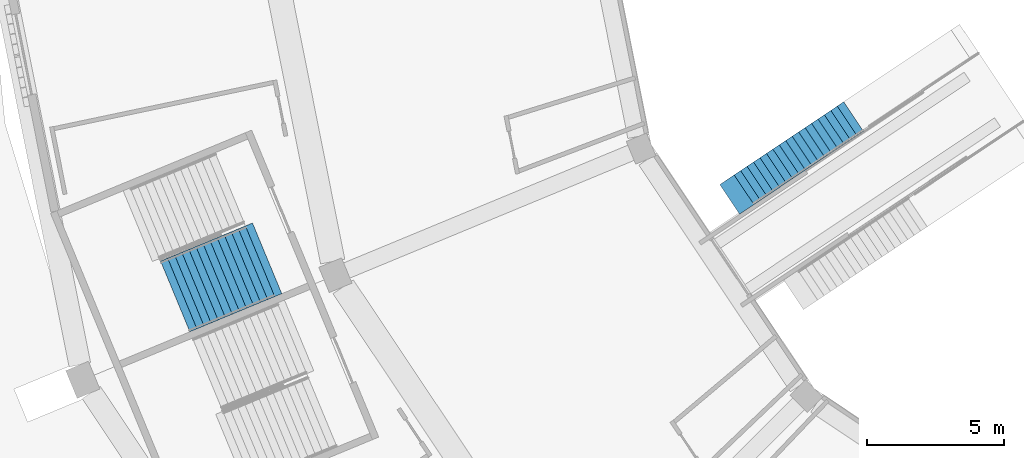
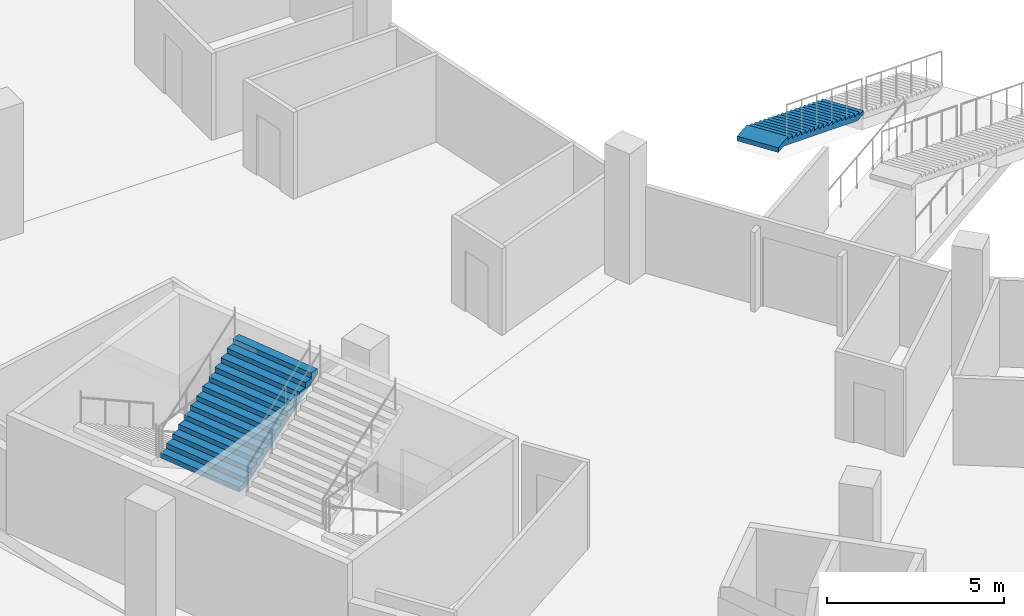
# One storey, part 54 of 175: 2 stair flights, 2 elements without a shape of their own.
"""IFC4 building model written with IfcOpenShell, lengths in metres."""

from ifc_helpers import new_model, si_unit, direction, frame, origin, place, context, subcontext, project, spatial, faceted_brep, material, type_object, element, aggregate, save


model = new_model("IFC4")

# Units and contexts
model_context = context("Model", 3, precision=1e-05, world=origin(), true_north=direction((0.0, 1.0)))
body_context = subcontext(model_context, "Body", "Model", "MODEL_VIEW")
ifc_project = project(units=[si_unit("LENGTHUNIT", "METRE"), si_unit("AREAUNIT", "SQUARE_METRE"), si_unit("VOLUMEUNIT", "CUBIC_METRE"), si_unit("PLANEANGLEUNIT", "RADIAN"), si_unit("MASSUNIT", "GRAM", prefix="KILO")], contexts=[model_context])

# Site, building, storey
site_placement = place(None, origin())
site = spatial("IfcSite", under=ifc_project, at=site_placement, CompositionType="ELEMENT")
building_placement = place(site_placement, origin())
building = spatial("IfcBuilding", under=site, at=building_placement, Name="Ogive Plaza Stadium", CompositionType="ELEMENT")
storey_placement = place(building_placement, origin())
storey = spatial("IfcBuildingStorey", under=building, at=storey_placement, Name="L00", CompositionType="ELEMENT", Elevation=0.0)

# Stair, stair flight
ifc_material_1 = material(Name="Concrete C40/50", Category="concrete")
stair_type_1 = type_object("IfcStairType", Name="Aisle stair", PredefinedType="STRAIGHT_RUN_STAIR", material=ifc_material_1)
stair_1_placement = place(storey_placement, origin())
stair_1 = element("IfcStair", 1, at=stair_1_placement, inside=storey, type_object=stair_type_1, Name="Aisle stair SA19L", PredefinedType="STRAIGHT_RUN_STAIR")
ifc_material_2 = material(Name="Concrete C40/50", Category="concrete")
stair_flight_type_1 = type_object("IfcStairFlightType", Name="Aisle stair flight", PredefinedType="STRAIGHT", material=ifc_material_2)
stair_flight_1_placement = place(storey_placement, frame((-52.00390625, -62.004150390625, 2.25), z_axis=(0.0, 0.0, 1.0), x_axis=(-0.831469612303, -0.55557023302, 0.0)))
stair_flight_1 = element("IfcStairFlight", 2, at=stair_flight_1_placement, type_object=stair_flight_type_1, Name="SA19L flight 2", NumberOfRisers=18, NumberOfTreads=17, PredefinedType="STRAIGHT", RiserHeight=0.125, TreadLength=0.283333333, context=body_context, shape_type="Brep", body=[
    faceted_brep([(0.371337890625, -0.64990234375, 0.0), (5.10009765625, -0.64990234375, 2.086181640625), (5.446533203125, -0.64990234375, 2.086181640625), (5.446533203125, -0.64990234375, 2.25), (4.816650390625, -0.64990234375, 2.25), (4.816650390625, -0.64990234375, 2.125), (4.533447265625, -0.64990234375, 2.125), (4.533447265625, -0.64990234375, 2.0), (4.25, -0.64990234375, 2.0), (4.25, -0.64990234375, 1.875), (3.966552734375, -0.64990234375, 1.875), (3.966552734375, -0.64990234375, 1.75), (3.683349609375, -0.64990234375, 1.75), (3.683349609375, -0.64990234375, 1.625), (3.39990234375, -0.64990234375, 1.625), (3.39990234375, -0.64990234375, 1.5), (3.11669921875, -0.64990234375, 1.5), (3.11669921875, -0.64990234375, 1.375), (2.833251953125, -0.64990234375, 1.375), (2.833251953125, -0.64990234375, 1.25), (2.550048828125, -0.64990234375, 1.25), (2.550048828125, -0.64990234375, 1.125), (2.2666015625, -0.64990234375, 1.125), (2.2666015625, -0.64990234375, 1.0), (1.9833984375, -0.64990234375, 1.0), (1.9833984375, -0.64990234375, 0.875), (1.699951171875, -0.64990234375, 0.875), (1.699951171875, -0.64990234375, 0.75), (1.416748046875, -0.64990234375, 0.75), (1.416748046875, -0.64990234375, 0.625), (1.13330078125, -0.64990234375, 0.625), (1.13330078125, -0.64990234375, 0.5), (0.85009765625, -0.64990234375, 0.5), (0.85009765625, -0.64990234375, 0.375), (0.566650390625, -0.64990234375, 0.375), (0.566650390625, -0.64990234375, 0.25), (0.283447265625, -0.64990234375, 0.25), (0.283447265625, -0.64990234375, 0.125), (0.0, -0.64990234375, 0.125), (0.0, -0.64990234375, 0.0), (0.0, 0.64990234375, 0.0), (0.0, 0.64990234375, 0.125), (0.283447265625, 0.64990234375, 0.125), (0.283447265625, 0.64990234375, 0.25), (0.566650390625, 0.64990234375, 0.25), (0.566650390625, 0.64990234375, 0.375), (0.85009765625, 0.64990234375, 0.375), (0.85009765625, 0.64990234375, 0.5), (1.13330078125, 0.64990234375, 0.5), (1.13330078125, 0.64990234375, 0.625), (1.416748046875, 0.64990234375, 0.625), (1.416748046875, 0.64990234375, 0.75), (1.699951171875, 0.64990234375, 0.75), (1.699951171875, 0.64990234375, 0.875), (1.9833984375, 0.64990234375, 0.875), (1.9833984375, 0.64990234375, 1.0), (2.2666015625, 0.64990234375, 1.0), (2.2666015625, 0.64990234375, 1.125), (2.550048828125, 0.64990234375, 1.125), (2.550048828125, 0.64990234375, 1.25), (2.833251953125, 0.64990234375, 1.25), (2.833251953125, 0.64990234375, 1.375), (3.11669921875, 0.64990234375, 1.375), (3.11669921875, 0.64990234375, 1.5), (3.39990234375, 0.64990234375, 1.5), (3.39990234375, 0.64990234375, 1.625), (3.683349609375, 0.64990234375, 1.625), (3.683349609375, 0.64990234375, 1.75), (3.966552734375, 0.64990234375, 1.75), (3.966552734375, 0.64990234375, 1.875), (4.25, 0.64990234375, 1.875), (4.25, 0.64990234375, 2.0), (4.533447265625, 0.64990234375, 2.0), (4.533447265625, 0.64990234375, 2.125), (4.816650390625, 0.64990234375, 2.125), (4.816650390625, 0.64990234375, 2.25), (5.446533203125, 0.64990234375, 2.25), (5.446533203125, 0.64990234375, 2.086181640625), (5.10009765625, 0.64990234375, 2.086181640625), (0.371337890625, 0.64990234375, 0.0), (0.371337890625, -0.324951171875, 0.0), (5.10009765625, -0.324951171875, 2.086181640625), (0.371337890625, 0.0, 0.0), (5.10009765625, 0.0, 2.086181640625), (0.371337890625, 0.324951171875, 0.0), (5.10009765625, 0.324951171875, 2.086181640625), (5.446533203125, -0.324951171875, 2.086181640625), (5.446533203125, 0.0, 2.086181640625), (5.446533203125, 0.324951171875, 2.086181640625), (5.446533203125, -0.324951171875, 2.25), (5.446533203125, 0.0, 2.25), (5.446533203125, 0.324951171875, 2.25), (4.816650390625, -0.324951171875, 2.25), (4.816650390625, 0.0, 2.25), (4.816650390625, 0.324951171875, 2.25), (4.816650390625, -0.324951171875, 2.125), (4.816650390625, 0.0, 2.125), (4.816650390625, 0.324951171875, 2.125), (4.533447265625, -0.324951171875, 2.125), (4.533447265625, 0.0, 2.125), (4.533447265625, 0.324951171875, 2.125), (4.533447265625, -0.324951171875, 2.0), (4.533447265625, 0.0, 2.0), (4.533447265625, 0.324951171875, 2.0), (4.25, -0.324951171875, 2.0), (4.25, 0.0, 2.0), (4.25, 0.324951171875, 2.0), (4.25, -0.324951171875, 1.875), (4.25, 0.0, 1.875), (4.25, 0.324951171875, 1.875), (3.966552734375, -0.324951171875, 1.875), (3.966552734375, 0.0, 1.875), (3.966552734375, 0.324951171875, 1.875), (3.966552734375, -0.324951171875, 1.75), (3.966552734375, 0.0, 1.75), (3.966552734375, 0.324951171875, 1.75), (3.683349609375, -0.324951171875, 1.75), (3.683349609375, 0.0, 1.75), (3.683349609375, 0.324951171875, 1.75), (3.683349609375, -0.324951171875, 1.625), (3.683349609375, 0.0, 1.625), (3.683349609375, 0.324951171875, 1.625), (3.39990234375, -0.324951171875, 1.625), (3.39990234375, 0.0, 1.625), (3.39990234375, 0.324951171875, 1.625), (3.39990234375, -0.324951171875, 1.5), (3.39990234375, 0.0, 1.5), (3.39990234375, 0.324951171875, 1.5), (3.11669921875, -0.324951171875, 1.5), (3.11669921875, 0.0, 1.5), (3.11669921875, 0.324951171875, 1.5), (3.11669921875, -0.324951171875, 1.375), (3.11669921875, 0.0, 1.375), (3.11669921875, 0.324951171875, 1.375), (2.833251953125, -0.324951171875, 1.375), (2.833251953125, 0.0, 1.375), (2.833251953125, 0.324951171875, 1.375), (2.833251953125, -0.324951171875, 1.25), (2.833251953125, 0.0, 1.25), (2.833251953125, 0.324951171875, 1.25), (2.550048828125, -0.324951171875, 1.25), (2.550048828125, 0.0, 1.25), (2.550048828125, 0.324951171875, 1.25), (2.550048828125, -0.324951171875, 1.125), (2.550048828125, 0.0, 1.125), (2.550048828125, 0.324951171875, 1.125), (2.2666015625, -0.324951171875, 1.125), (2.2666015625, 0.0, 1.125), (2.2666015625, 0.324951171875, 1.125), (2.2666015625, -0.324951171875, 1.0), (2.2666015625, 0.0, 1.0), (2.2666015625, 0.324951171875, 1.0), (1.9833984375, -0.324951171875, 1.0), (1.9833984375, 0.0, 1.0), (1.9833984375, 0.324951171875, 1.0), (1.9833984375, -0.324951171875, 0.875), (1.9833984375, 0.0, 0.875), (1.9833984375, 0.324951171875, 0.875), (1.699951171875, -0.324951171875, 0.875), (1.699951171875, 0.0, 0.875), (1.699951171875, 0.324951171875, 0.875), (1.699951171875, -0.324951171875, 0.75), (1.699951171875, 0.0, 0.75), (1.699951171875, 0.324951171875, 0.75), (1.416748046875, -0.324951171875, 0.75), (1.416748046875, 0.0, 0.75), (1.416748046875, 0.324951171875, 0.75), (1.416748046875, -0.324951171875, 0.625), (1.416748046875, 0.0, 0.625), (1.416748046875, 0.324951171875, 0.625), (1.13330078125, -0.324951171875, 0.625), (1.13330078125, 0.0, 0.625), (1.13330078125, 0.324951171875, 0.625), (1.13330078125, -0.324951171875, 0.5), (1.13330078125, 0.0, 0.5), (1.13330078125, 0.324951171875, 0.5), (0.85009765625, -0.324951171875, 0.5), (0.85009765625, 0.0, 0.5), (0.85009765625, 0.324951171875, 0.5), (0.85009765625, -0.324951171875, 0.375), (0.85009765625, 0.0, 0.375), (0.85009765625, 0.324951171875, 0.375), (0.566650390625, -0.324951171875, 0.375), (0.566650390625, 0.0, 0.375), (0.566650390625, 0.324951171875, 0.375), (0.566650390625, -0.324951171875, 0.25), (0.566650390625, 0.0, 0.25), (0.566650390625, 0.324951171875, 0.25), (0.283447265625, -0.324951171875, 0.25), (0.283447265625, 0.0, 0.25), (0.283447265625, 0.324951171875, 0.25), (0.283447265625, -0.324951171875, 0.125), (0.283447265625, 0.0, 0.125), (0.283447265625, 0.324951171875, 0.125), (0.0, -0.324951171875, 0.125), (0.0, 0.0, 0.125), (0.0, 0.324951171875, 0.125), (0.0, -0.324951171875, 0.0), (0.0, 0.0, 0.0), (0.0, 0.324951171875, 0.0)], [[[0, 1, 2, 3, 4, 5, 6, 7, 8, 9, 10, 11, 12, 13, 14, 15, 16, 17, 18, 19, 20, 21, 22, 23, 24, 25, 26, 27, 28, 29, 30, 31, 32, 33, 34, 35, 36, 37, 38, 39]], [[40, 41, 42, 43, 44, 45, 46, 47, 48, 49, 50, 51, 52, 53, 54, 55, 56, 57, 58, 59, 60, 61, 62, 63, 64, 65, 66, 67, 68, 69, 70, 71, 72, 73, 74, 75, 76, 77, 78, 79]], [[0, 80, 81, 1]], [[80, 82, 83, 81]], [[82, 84, 85, 83]], [[84, 79, 78, 85]], [[1, 81, 86, 2]], [[81, 83, 87, 86]], [[83, 85, 88, 87]], [[85, 78, 77, 88]], [[2, 86, 89, 3]], [[86, 87, 90, 89]], [[87, 88, 91, 90]], [[88, 77, 76, 91]], [[3, 89, 92, 4]], [[89, 90, 93, 92]], [[90, 91, 94, 93]], [[91, 76, 75, 94]], [[4, 92, 95, 5]], [[92, 93, 96, 95]], [[93, 94, 97, 96]], [[94, 75, 74, 97]], [[5, 95, 98, 6]], [[95, 96, 99, 98]], [[96, 97, 100, 99]], [[97, 74, 73, 100]], [[6, 98, 101, 7]], [[98, 99, 102, 101]], [[99, 100, 103, 102]], [[100, 73, 72, 103]], [[7, 101, 104, 8]], [[101, 102, 105, 104]], [[102, 103, 106, 105]], [[103, 72, 71, 106]], [[8, 104, 107, 9]], [[104, 105, 108, 107]], [[105, 106, 109, 108]], [[106, 71, 70, 109]], [[9, 107, 110, 10]], [[107, 108, 111, 110]], [[108, 109, 112, 111]], [[109, 70, 69, 112]], [[10, 110, 113, 11]], [[110, 111, 114, 113]], [[111, 112, 115, 114]], [[112, 69, 68, 115]], [[11, 113, 116, 12]], [[113, 114, 117, 116]], [[114, 115, 118, 117]], [[115, 68, 67, 118]], [[12, 116, 119, 13]], [[116, 117, 120, 119]], [[117, 118, 121, 120]], [[118, 67, 66, 121]], [[13, 119, 122, 14]], [[119, 120, 123, 122]], [[120, 121, 124, 123]], [[121, 66, 65, 124]], [[14, 122, 125, 15]], [[122, 123, 126, 125]], [[123, 124, 127, 126]], [[124, 65, 64, 127]], [[15, 125, 128, 16]], [[125, 126, 129, 128]], [[126, 127, 130, 129]], [[127, 64, 63, 130]], [[16, 128, 131, 17]], [[128, 129, 132, 131]], [[129, 130, 133, 132]], [[130, 63, 62, 133]], [[17, 131, 134, 18]], [[131, 132, 135, 134]], [[132, 133, 136, 135]], [[133, 62, 61, 136]], [[18, 134, 137, 19]], [[134, 135, 138, 137]], [[135, 136, 139, 138]], [[136, 61, 60, 139]], [[19, 137, 140, 20]], [[137, 138, 141, 140]], [[138, 139, 142, 141]], [[139, 60, 59, 142]], [[20, 140, 143, 21]], [[140, 141, 144, 143]], [[141, 142, 145, 144]], [[142, 59, 58, 145]], [[21, 143, 146, 22]], [[143, 144, 147, 146]], [[144, 145, 148, 147]], [[145, 58, 57, 148]], [[22, 146, 149, 23]], [[146, 147, 150, 149]], [[147, 148, 151, 150]], [[148, 57, 56, 151]], [[23, 149, 152, 24]], [[149, 150, 153, 152]], [[150, 151, 154, 153]], [[151, 56, 55, 154]], [[24, 152, 155, 25]], [[152, 153, 156, 155]], [[153, 154, 157, 156]], [[154, 55, 54, 157]], [[25, 155, 158, 26]], [[155, 156, 159, 158]], [[156, 157, 160, 159]], [[157, 54, 53, 160]], [[26, 158, 161, 27]], [[158, 159, 162, 161]], [[159, 160, 163, 162]], [[160, 53, 52, 163]], [[27, 161, 164, 28]], [[161, 162, 165, 164]], [[162, 163, 166, 165]], [[163, 52, 51, 166]], [[28, 164, 167, 29]], [[164, 165, 168, 167]], [[165, 166, 169, 168]], [[166, 51, 50, 169]], [[29, 167, 170, 30]], [[167, 168, 171, 170]], [[168, 169, 172, 171]], [[169, 50, 49, 172]], [[30, 170, 173, 31]], [[170, 171, 174, 173]], [[171, 172, 175, 174]], [[172, 49, 48, 175]], [[31, 173, 176, 32]], [[173, 174, 177, 176]], [[174, 175, 178, 177]], [[175, 48, 47, 178]], [[32, 176, 179, 33]], [[176, 177, 180, 179]], [[177, 178, 181, 180]], [[178, 47, 46, 181]], [[33, 179, 182, 34]], [[179, 180, 183, 182]], [[180, 181, 184, 183]], [[181, 46, 45, 184]], [[34, 182, 185, 35]], [[182, 183, 186, 185]], [[183, 184, 187, 186]], [[184, 45, 44, 187]], [[35, 185, 188, 36]], [[185, 186, 189, 188]], [[186, 187, 190, 189]], [[187, 44, 43, 190]], [[36, 188, 191, 37]], [[188, 189, 192, 191]], [[189, 190, 193, 192]], [[190, 43, 42, 193]], [[37, 191, 194, 38]], [[191, 192, 195, 194]], [[192, 193, 196, 195]], [[193, 42, 41, 196]], [[38, 194, 197, 39]], [[194, 195, 198, 197]], [[195, 196, 199, 198]], [[196, 41, 40, 199]], [[39, 197, 80, 0]], [[197, 198, 82, 80]], [[198, 199, 84, 82]], [[199, 40, 79, 84]]]),
])
aggregate(stair_1, [stair_flight_1])

ifc_material_3 = material(Name="Concrete C40/50", Category="concrete")
stair_type_2 = type_object("IfcStairType", Name="Exit stair", PredefinedType="STRAIGHT_RUN_STAIR", material=ifc_material_3)
stair_2_placement = place(storey_placement, origin())
stair_2 = element("IfcStair", 3, at=stair_2_placement, inside=storey, type_object=stair_type_2, Name="Exit stair ST20A L00 to L01", PredefinedType="STRAIGHT_RUN_STAIR")
ifc_material_4 = material(Name="Concrete C40/50", Category="concrete")
stair_flight_type_2 = type_object("IfcStairFlightType", Name="Exit stair flight", PredefinedType="STRAIGHT", material=ifc_material_4)
stair_flight_2_placement = place(storey_placement, frame((-76.814208984375, -68.58349609375, 2.25), z_axis=(0.0, 0.0, 1.0), x_axis=(0.923879532511, 0.382683432365, 0.0)))
stair_flight_2 = element("IfcStairFlight", 4, at=stair_flight_2_placement, type_object=stair_flight_type_2, Name="ST20A flight 2", NumberOfRisers=13, NumberOfTreads=12, PredefinedType="STRAIGHT", RiserHeight=0.173076923, TreadLength=0.28, context=body_context, shape_type="Brep", body=[
    faceted_brep([(0.28515625, -1.39990234375, 0.0), (3.639892578125, -1.39990234375, 2.07373046875), (3.639892578125, -1.39990234375, 2.25), (3.360107421875, -1.39990234375, 2.25), (3.360107421875, -1.39990234375, 2.076904296875), (3.080078125, -1.39990234375, 2.076904296875), (3.080078125, -1.39990234375, 1.90380859375), (2.800048828125, -1.39990234375, 1.90380859375), (2.800048828125, -1.39990234375, 1.730712890625), (2.52001953125, -1.39990234375, 1.730712890625), (2.52001953125, -1.39990234375, 1.5576171875), (2.239990234375, -1.39990234375, 1.5576171875), (2.239990234375, -1.39990234375, 1.384521484375), (1.9599609375, -1.39990234375, 1.384521484375), (1.9599609375, -1.39990234375, 1.21142578125), (1.679931640625, -1.39990234375, 1.21142578125), (1.679931640625, -1.39990234375, 1.03857421875), (1.39990234375, -1.39990234375, 1.03857421875), (1.39990234375, -1.39990234375, 0.865478515625), (1.1201171875, -1.39990234375, 0.865478515625), (1.1201171875, -1.39990234375, 0.6923828125), (0.840087890625, -1.39990234375, 0.6923828125), (0.840087890625, -1.39990234375, 0.519287109375), (0.56005859375, -1.39990234375, 0.519287109375), (0.56005859375, -1.39990234375, 0.34619140625), (0.280029296875, -1.39990234375, 0.34619140625), (0.280029296875, -1.39990234375, 0.173095703125), (0.0, -1.39990234375, 0.173095703125), (0.0, -1.39990234375, 0.0), (0.0, 1.39990234375, 0.0), (0.0, 1.39990234375, 0.173095703125), (0.280029296875, 1.39990234375, 0.173095703125), (0.280029296875, 1.39990234375, 0.34619140625), (0.56005859375, 1.39990234375, 0.34619140625), (0.56005859375, 1.39990234375, 0.519287109375), (0.840087890625, 1.39990234375, 0.519287109375), (0.840087890625, 1.39990234375, 0.6923828125), (1.1201171875, 1.39990234375, 0.6923828125), (1.1201171875, 1.39990234375, 0.865478515625), (1.39990234375, 1.39990234375, 0.865478515625), (1.39990234375, 1.39990234375, 1.03857421875), (1.679931640625, 1.39990234375, 1.03857421875), (1.679931640625, 1.39990234375, 1.21142578125), (1.9599609375, 1.39990234375, 1.21142578125), (1.9599609375, 1.39990234375, 1.384521484375), (2.239990234375, 1.39990234375, 1.384521484375), (2.239990234375, 1.39990234375, 1.5576171875), (2.52001953125, 1.39990234375, 1.5576171875), (2.52001953125, 1.39990234375, 1.730712890625), (2.800048828125, 1.39990234375, 1.730712890625), (2.800048828125, 1.39990234375, 1.90380859375), (3.080078125, 1.39990234375, 1.90380859375), (3.080078125, 1.39990234375, 2.076904296875), (3.360107421875, 1.39990234375, 2.076904296875), (3.360107421875, 1.39990234375, 2.25), (3.639892578125, 1.39990234375, 2.25), (3.639892578125, 1.39990234375, 2.07373046875), (0.28515625, 1.39990234375, 0.0), (0.28515625, -1.0888671875, 0.0), (3.639892578125, -1.0888671875, 2.07373046875), (0.28515625, -0.77783203125, 0.0), (3.639892578125, -0.77783203125, 2.07373046875), (0.28515625, -0.466796875, 0.0), (3.639892578125, -0.466796875, 2.07373046875), (0.28515625, -0.155517578125, 0.0), (3.639892578125, -0.155517578125, 2.07373046875), (0.28515625, 0.155517578125, 0.0), (3.639892578125, 0.155517578125, 2.07373046875), (0.28515625, 0.466796875, 0.0), (3.639892578125, 0.466796875, 2.07373046875), (0.28515625, 0.77783203125, 0.0), (3.639892578125, 0.77783203125, 2.07373046875), (0.28515625, 1.0888671875, 0.0), (3.639892578125, 1.0888671875, 2.07373046875), (3.639892578125, -1.0888671875, 2.25), (3.639892578125, -0.77783203125, 2.25), (3.639892578125, -0.466796875, 2.25), (3.639892578125, -0.155517578125, 2.25), (3.639892578125, 0.155517578125, 2.25), (3.639892578125, 0.466796875, 2.25), (3.639892578125, 0.77783203125, 2.25), (3.639892578125, 1.0888671875, 2.25), (3.360107421875, -1.0888671875, 2.25), (3.360107421875, -0.77783203125, 2.25), (3.360107421875, -0.466796875, 2.25), (3.360107421875, -0.155517578125, 2.25), (3.360107421875, 0.155517578125, 2.25), (3.360107421875, 0.466796875, 2.25), (3.360107421875, 0.77783203125, 2.25), (3.360107421875, 1.0888671875, 2.25), (3.360107421875, -1.0888671875, 2.076904296875), (3.360107421875, -0.77783203125, 2.076904296875), (3.360107421875, -0.466796875, 2.076904296875), (3.360107421875, -0.155517578125, 2.076904296875), (3.360107421875, 0.155517578125, 2.076904296875), (3.360107421875, 0.466796875, 2.076904296875), (3.360107421875, 0.77783203125, 2.076904296875), (3.360107421875, 1.0888671875, 2.076904296875), (3.080078125, -1.0888671875, 2.076904296875), (3.080078125, -0.77783203125, 2.076904296875), (3.080078125, -0.466796875, 2.076904296875), (3.080078125, -0.155517578125, 2.076904296875), (3.080078125, 0.155517578125, 2.076904296875), (3.080078125, 0.466796875, 2.076904296875), (3.080078125, 0.77783203125, 2.076904296875), (3.080078125, 1.0888671875, 2.076904296875), (3.080078125, -1.0888671875, 1.90380859375), (3.080078125, -0.77783203125, 1.90380859375), (3.080078125, -0.466796875, 1.90380859375), (3.080078125, -0.155517578125, 1.90380859375), (3.080078125, 0.155517578125, 1.90380859375), (3.080078125, 0.466796875, 1.90380859375), (3.080078125, 0.77783203125, 1.90380859375), (3.080078125, 1.0888671875, 1.90380859375), (2.800048828125, -1.0888671875, 1.90380859375), (2.800048828125, -0.77783203125, 1.90380859375), (2.800048828125, -0.466796875, 1.90380859375), (2.800048828125, -0.155517578125, 1.90380859375), (2.800048828125, 0.155517578125, 1.90380859375), (2.800048828125, 0.466796875, 1.90380859375), (2.800048828125, 0.77783203125, 1.90380859375), (2.800048828125, 1.0888671875, 1.90380859375), (2.800048828125, -1.0888671875, 1.730712890625), (2.800048828125, -0.77783203125, 1.730712890625), (2.800048828125, -0.466796875, 1.730712890625), (2.800048828125, -0.155517578125, 1.730712890625), (2.800048828125, 0.155517578125, 1.730712890625), (2.800048828125, 0.466796875, 1.730712890625), (2.800048828125, 0.77783203125, 1.730712890625), (2.800048828125, 1.0888671875, 1.730712890625), (2.52001953125, -1.0888671875, 1.730712890625), (2.52001953125, -0.77783203125, 1.730712890625), (2.52001953125, -0.466796875, 1.730712890625), (2.52001953125, -0.155517578125, 1.730712890625), (2.52001953125, 0.155517578125, 1.730712890625), (2.52001953125, 0.466796875, 1.730712890625), (2.52001953125, 0.77783203125, 1.730712890625), (2.52001953125, 1.0888671875, 1.730712890625), (2.52001953125, -1.0888671875, 1.5576171875), (2.52001953125, -0.77783203125, 1.5576171875), (2.52001953125, -0.466796875, 1.5576171875), (2.52001953125, -0.155517578125, 1.5576171875), (2.52001953125, 0.155517578125, 1.5576171875), (2.52001953125, 0.466796875, 1.5576171875), (2.52001953125, 0.77783203125, 1.5576171875), (2.52001953125, 1.0888671875, 1.5576171875), (2.239990234375, -1.0888671875, 1.5576171875), (2.239990234375, -0.77783203125, 1.5576171875), (2.239990234375, -0.466796875, 1.5576171875), (2.239990234375, -0.155517578125, 1.5576171875), (2.239990234375, 0.155517578125, 1.5576171875), (2.239990234375, 0.466796875, 1.5576171875), (2.239990234375, 0.77783203125, 1.5576171875), (2.239990234375, 1.0888671875, 1.5576171875), (2.239990234375, -1.0888671875, 1.384521484375), (2.239990234375, -0.77783203125, 1.384521484375), (2.239990234375, -0.466796875, 1.384521484375), (2.239990234375, -0.155517578125, 1.384521484375), (2.239990234375, 0.155517578125, 1.384521484375), (2.239990234375, 0.466796875, 1.384521484375), (2.239990234375, 0.77783203125, 1.384521484375), (2.239990234375, 1.0888671875, 1.384521484375), (1.9599609375, -1.0888671875, 1.384521484375), (1.9599609375, -0.77783203125, 1.384521484375), (1.9599609375, -0.466796875, 1.384521484375), (1.9599609375, -0.155517578125, 1.384521484375), (1.9599609375, 0.155517578125, 1.384521484375), (1.9599609375, 0.466796875, 1.384521484375), (1.9599609375, 0.77783203125, 1.384521484375), (1.9599609375, 1.0888671875, 1.384521484375), (1.9599609375, -1.0888671875, 1.21142578125), (1.9599609375, -0.77783203125, 1.21142578125), (1.9599609375, -0.466796875, 1.21142578125), (1.9599609375, -0.155517578125, 1.21142578125), (1.9599609375, 0.155517578125, 1.21142578125), (1.9599609375, 0.466796875, 1.21142578125), (1.9599609375, 0.77783203125, 1.21142578125), (1.9599609375, 1.0888671875, 1.21142578125), (1.679931640625, -1.0888671875, 1.21142578125), (1.679931640625, -0.77783203125, 1.21142578125), (1.679931640625, -0.466796875, 1.21142578125), (1.679931640625, -0.155517578125, 1.21142578125), (1.679931640625, 0.155517578125, 1.21142578125), (1.679931640625, 0.466796875, 1.21142578125), (1.679931640625, 0.77783203125, 1.21142578125), (1.679931640625, 1.0888671875, 1.21142578125), (1.679931640625, -1.0888671875, 1.03857421875), (1.679931640625, -0.77783203125, 1.03857421875), (1.679931640625, -0.466796875, 1.03857421875), (1.679931640625, -0.155517578125, 1.03857421875), (1.679931640625, 0.155517578125, 1.03857421875), (1.679931640625, 0.466796875, 1.03857421875), (1.679931640625, 0.77783203125, 1.03857421875), (1.679931640625, 1.0888671875, 1.03857421875), (1.39990234375, -1.0888671875, 1.03857421875), (1.39990234375, -0.77783203125, 1.03857421875), (1.39990234375, -0.466796875, 1.03857421875), (1.39990234375, -0.155517578125, 1.03857421875), (1.39990234375, 0.155517578125, 1.03857421875), (1.39990234375, 0.466796875, 1.03857421875), (1.39990234375, 0.77783203125, 1.03857421875), (1.39990234375, 1.0888671875, 1.03857421875), (1.39990234375, -1.0888671875, 0.865478515625), (1.39990234375, -0.77783203125, 0.865478515625), (1.39990234375, -0.466796875, 0.865478515625), (1.39990234375, -0.155517578125, 0.865478515625), (1.39990234375, 0.155517578125, 0.865478515625), (1.39990234375, 0.466796875, 0.865478515625), (1.39990234375, 0.77783203125, 0.865478515625), (1.39990234375, 1.0888671875, 0.865478515625), (1.1201171875, -1.0888671875, 0.865478515625), (1.1201171875, -0.77783203125, 0.865478515625), (1.1201171875, -0.466796875, 0.865478515625), (1.1201171875, -0.155517578125, 0.865478515625), (1.1201171875, 0.155517578125, 0.865478515625), (1.1201171875, 0.466796875, 0.865478515625), (1.1201171875, 0.77783203125, 0.865478515625), (1.1201171875, 1.0888671875, 0.865478515625), (1.1201171875, -1.0888671875, 0.6923828125), (1.1201171875, -0.77783203125, 0.6923828125), (1.1201171875, -0.466796875, 0.6923828125), (1.1201171875, -0.155517578125, 0.6923828125), (1.1201171875, 0.155517578125, 0.6923828125), (1.1201171875, 0.466796875, 0.6923828125), (1.1201171875, 0.77783203125, 0.6923828125), (1.1201171875, 1.0888671875, 0.6923828125), (0.840087890625, -1.0888671875, 0.6923828125), (0.840087890625, -0.77783203125, 0.6923828125), (0.840087890625, -0.466796875, 0.6923828125), (0.840087890625, -0.155517578125, 0.6923828125), (0.840087890625, 0.155517578125, 0.6923828125), (0.840087890625, 0.466796875, 0.6923828125), (0.840087890625, 0.77783203125, 0.6923828125), (0.840087890625, 1.0888671875, 0.6923828125), (0.840087890625, -1.0888671875, 0.519287109375), (0.840087890625, -0.77783203125, 0.519287109375), (0.840087890625, -0.466796875, 0.519287109375), (0.840087890625, -0.155517578125, 0.519287109375), (0.840087890625, 0.155517578125, 0.519287109375), (0.840087890625, 0.466796875, 0.519287109375), (0.840087890625, 0.77783203125, 0.519287109375), (0.840087890625, 1.0888671875, 0.519287109375), (0.56005859375, -1.0888671875, 0.519287109375), (0.56005859375, -0.77783203125, 0.519287109375), (0.56005859375, -0.466796875, 0.519287109375), (0.56005859375, -0.155517578125, 0.519287109375), (0.56005859375, 0.155517578125, 0.519287109375), (0.56005859375, 0.466796875, 0.519287109375), (0.56005859375, 0.77783203125, 0.519287109375), (0.56005859375, 1.0888671875, 0.519287109375), (0.56005859375, -1.0888671875, 0.34619140625), (0.56005859375, -0.77783203125, 0.34619140625), (0.56005859375, -0.466796875, 0.34619140625), (0.56005859375, -0.155517578125, 0.34619140625), (0.56005859375, 0.155517578125, 0.34619140625), (0.56005859375, 0.466796875, 0.34619140625), (0.56005859375, 0.77783203125, 0.34619140625), (0.56005859375, 1.0888671875, 0.34619140625), (0.280029296875, -1.0888671875, 0.34619140625), (0.280029296875, -0.77783203125, 0.34619140625), (0.280029296875, -0.466796875, 0.34619140625), (0.280029296875, -0.155517578125, 0.34619140625), (0.280029296875, 0.155517578125, 0.34619140625), (0.280029296875, 0.466796875, 0.34619140625), (0.280029296875, 0.77783203125, 0.34619140625), (0.280029296875, 1.0888671875, 0.34619140625), (0.280029296875, -1.0888671875, 0.173095703125), (0.280029296875, -0.77783203125, 0.173095703125), (0.280029296875, -0.466796875, 0.173095703125), (0.280029296875, -0.155517578125, 0.173095703125), (0.280029296875, 0.155517578125, 0.173095703125), (0.280029296875, 0.466796875, 0.173095703125), (0.280029296875, 0.77783203125, 0.173095703125), (0.280029296875, 1.0888671875, 0.173095703125), (0.0, -1.0888671875, 0.173095703125), (0.0, -0.77783203125, 0.173095703125), (0.0, -0.466796875, 0.173095703125), (0.0, -0.155517578125, 0.173095703125), (0.0, 0.155517578125, 0.173095703125), (0.0, 0.466796875, 0.173095703125), (0.0, 0.77783203125, 0.173095703125), (0.0, 1.0888671875, 0.173095703125), (0.0, -1.0888671875, 0.0), (0.0, -0.77783203125, 0.0), (0.0, -0.466796875, 0.0), (0.0, -0.155517578125, 0.0), (0.0, 0.155517578125, 0.0), (0.0, 0.466796875, 0.0), (0.0, 0.77783203125, 0.0), (0.0, 1.0888671875, 0.0)], [[[0, 1, 2, 3, 4, 5, 6, 7, 8, 9, 10, 11, 12, 13, 14, 15, 16, 17, 18, 19, 20, 21, 22, 23, 24, 25, 26, 27, 28]], [[29, 30, 31, 32, 33, 34, 35, 36, 37, 38, 39, 40, 41, 42, 43, 44, 45, 46, 47, 48, 49, 50, 51, 52, 53, 54, 55, 56, 57]], [[0, 58, 59, 1]], [[58, 60, 61, 59]], [[60, 62, 63, 61]], [[62, 64, 65, 63]], [[64, 66, 67, 65]], [[66, 68, 69, 67]], [[68, 70, 71, 69]], [[70, 72, 73, 71]], [[72, 57, 56, 73]], [[1, 59, 74, 2]], [[59, 61, 75, 74]], [[61, 63, 76, 75]], [[63, 65, 77, 76]], [[65, 67, 78, 77]], [[67, 69, 79, 78]], [[69, 71, 80, 79]], [[71, 73, 81, 80]], [[73, 56, 55, 81]], [[2, 74, 82, 3]], [[74, 75, 83, 82]], [[75, 76, 84, 83]], [[76, 77, 85, 84]], [[77, 78, 86, 85]], [[78, 79, 87, 86]], [[79, 80, 88, 87]], [[80, 81, 89, 88]], [[81, 55, 54, 89]], [[3, 82, 90, 4]], [[82, 83, 91, 90]], [[83, 84, 92, 91]], [[84, 85, 93, 92]], [[85, 86, 94, 93]], [[86, 87, 95, 94]], [[87, 88, 96, 95]], [[88, 89, 97, 96]], [[89, 54, 53, 97]], [[4, 90, 98, 5]], [[90, 91, 99, 98]], [[91, 92, 100, 99]], [[92, 93, 101, 100]], [[93, 94, 102, 101]], [[94, 95, 103, 102]], [[95, 96, 104, 103]], [[96, 97, 105, 104]], [[97, 53, 52, 105]], [[5, 98, 106, 6]], [[98, 99, 107, 106]], [[99, 100, 108, 107]], [[100, 101, 109, 108]], [[101, 102, 110, 109]], [[102, 103, 111, 110]], [[103, 104, 112, 111]], [[104, 105, 113, 112]], [[105, 52, 51, 113]], [[6, 106, 114, 7]], [[106, 107, 115, 114]], [[107, 108, 116, 115]], [[108, 109, 117, 116]], [[109, 110, 118, 117]], [[110, 111, 119, 118]], [[111, 112, 120, 119]], [[112, 113, 121, 120]], [[113, 51, 50, 121]], [[7, 114, 122, 8]], [[114, 115, 123, 122]], [[115, 116, 124, 123]], [[116, 117, 125, 124]], [[117, 118, 126, 125]], [[118, 119, 127, 126]], [[119, 120, 128, 127]], [[120, 121, 129, 128]], [[121, 50, 49, 129]], [[8, 122, 130, 9]], [[122, 123, 131, 130]], [[123, 124, 132, 131]], [[124, 125, 133, 132]], [[125, 126, 134, 133]], [[126, 127, 135, 134]], [[127, 128, 136, 135]], [[128, 129, 137, 136]], [[129, 49, 48, 137]], [[9, 130, 138, 10]], [[130, 131, 139, 138]], [[131, 132, 140, 139]], [[132, 133, 141, 140]], [[133, 134, 142, 141]], [[134, 135, 143, 142]], [[135, 136, 144, 143]], [[136, 137, 145, 144]], [[137, 48, 47, 145]], [[10, 138, 146, 11]], [[138, 139, 147, 146]], [[139, 140, 148, 147]], [[140, 141, 149, 148]], [[141, 142, 150, 149]], [[142, 143, 151, 150]], [[143, 144, 152, 151]], [[144, 145, 153, 152]], [[145, 47, 46, 153]], [[11, 146, 154, 12]], [[146, 147, 155, 154]], [[147, 148, 156, 155]], [[148, 149, 157, 156]], [[149, 150, 158, 157]], [[150, 151, 159, 158]], [[151, 152, 160, 159]], [[152, 153, 161, 160]], [[153, 46, 45, 161]], [[12, 154, 162, 13]], [[154, 155, 163, 162]], [[155, 156, 164, 163]], [[156, 157, 165, 164]], [[157, 158, 166, 165]], [[158, 159, 167, 166]], [[159, 160, 168, 167]], [[160, 161, 169, 168]], [[161, 45, 44, 169]], [[13, 162, 170, 14]], [[162, 163, 171, 170]], [[163, 164, 172, 171]], [[164, 165, 173, 172]], [[165, 166, 174, 173]], [[166, 167, 175, 174]], [[167, 168, 176, 175]], [[168, 169, 177, 176]], [[169, 44, 43, 177]], [[14, 170, 178, 15]], [[170, 171, 179, 178]], [[171, 172, 180, 179]], [[172, 173, 181, 180]], [[173, 174, 182, 181]], [[174, 175, 183, 182]], [[175, 176, 184, 183]], [[176, 177, 185, 184]], [[177, 43, 42, 185]], [[15, 178, 186, 16]], [[178, 179, 187, 186]], [[179, 180, 188, 187]], [[180, 181, 189, 188]], [[181, 182, 190, 189]], [[182, 183, 191, 190]], [[183, 184, 192, 191]], [[184, 185, 193, 192]], [[185, 42, 41, 193]], [[16, 186, 194, 17]], [[186, 187, 195, 194]], [[187, 188, 196, 195]], [[188, 189, 197, 196]], [[189, 190, 198, 197]], [[190, 191, 199, 198]], [[191, 192, 200, 199]], [[192, 193, 201, 200]], [[193, 41, 40, 201]], [[17, 194, 202, 18]], [[194, 195, 203, 202]], [[195, 196, 204, 203]], [[196, 197, 205, 204]], [[197, 198, 206, 205]], [[198, 199, 207, 206]], [[199, 200, 208, 207]], [[200, 201, 209, 208]], [[201, 40, 39, 209]], [[18, 202, 210, 19]], [[202, 203, 211, 210]], [[203, 204, 212, 211]], [[204, 205, 213, 212]], [[205, 206, 214, 213]], [[206, 207, 215, 214]], [[207, 208, 216, 215]], [[208, 209, 217, 216]], [[209, 39, 38, 217]], [[19, 210, 218, 20]], [[210, 211, 219, 218]], [[211, 212, 220, 219]], [[212, 213, 221, 220]], [[213, 214, 222, 221]], [[214, 215, 223, 222]], [[215, 216, 224, 223]], [[216, 217, 225, 224]], [[217, 38, 37, 225]], [[20, 218, 226, 21]], [[218, 219, 227, 226]], [[219, 220, 228, 227]], [[220, 221, 229, 228]], [[221, 222, 230, 229]], [[222, 223, 231, 230]], [[223, 224, 232, 231]], [[224, 225, 233, 232]], [[225, 37, 36, 233]], [[21, 226, 234, 22]], [[226, 227, 235, 234]], [[227, 228, 236, 235]], [[228, 229, 237, 236]], [[229, 230, 238, 237]], [[230, 231, 239, 238]], [[231, 232, 240, 239]], [[232, 233, 241, 240]], [[233, 36, 35, 241]], [[22, 234, 242, 23]], [[234, 235, 243, 242]], [[235, 236, 244, 243]], [[236, 237, 245, 244]], [[237, 238, 246, 245]], [[238, 239, 247, 246]], [[239, 240, 248, 247]], [[240, 241, 249, 248]], [[241, 35, 34, 249]], [[23, 242, 250, 24]], [[242, 243, 251, 250]], [[243, 244, 252, 251]], [[244, 245, 253, 252]], [[245, 246, 254, 253]], [[246, 247, 255, 254]], [[247, 248, 256, 255]], [[248, 249, 257, 256]], [[249, 34, 33, 257]], [[24, 250, 258, 25]], [[250, 251, 259, 258]], [[251, 252, 260, 259]], [[252, 253, 261, 260]], [[253, 254, 262, 261]], [[254, 255, 263, 262]], [[255, 256, 264, 263]], [[256, 257, 265, 264]], [[257, 33, 32, 265]], [[25, 258, 266, 26]], [[258, 259, 267, 266]], [[259, 260, 268, 267]], [[260, 261, 269, 268]], [[261, 262, 270, 269]], [[262, 263, 271, 270]], [[263, 264, 272, 271]], [[264, 265, 273, 272]], [[265, 32, 31, 273]], [[26, 266, 274, 27]], [[266, 267, 275, 274]], [[267, 268, 276, 275]], [[268, 269, 277, 276]], [[269, 270, 278, 277]], [[270, 271, 279, 278]], [[271, 272, 280, 279]], [[272, 273, 281, 280]], [[273, 31, 30, 281]], [[27, 274, 282, 28]], [[274, 275, 283, 282]], [[275, 276, 284, 283]], [[276, 277, 285, 284]], [[277, 278, 286, 285]], [[278, 279, 287, 286]], [[279, 280, 288, 287]], [[280, 281, 289, 288]], [[281, 30, 29, 289]], [[28, 282, 58, 0]], [[282, 283, 60, 58]], [[283, 284, 62, 60]], [[284, 285, 64, 62]], [[285, 286, 66, 64]], [[286, 287, 68, 66]], [[287, 288, 70, 68]], [[288, 289, 72, 70]], [[289, 29, 57, 72]]]),
])
aggregate(stair_2, [stair_flight_2])

save(model, "model.ifc")
